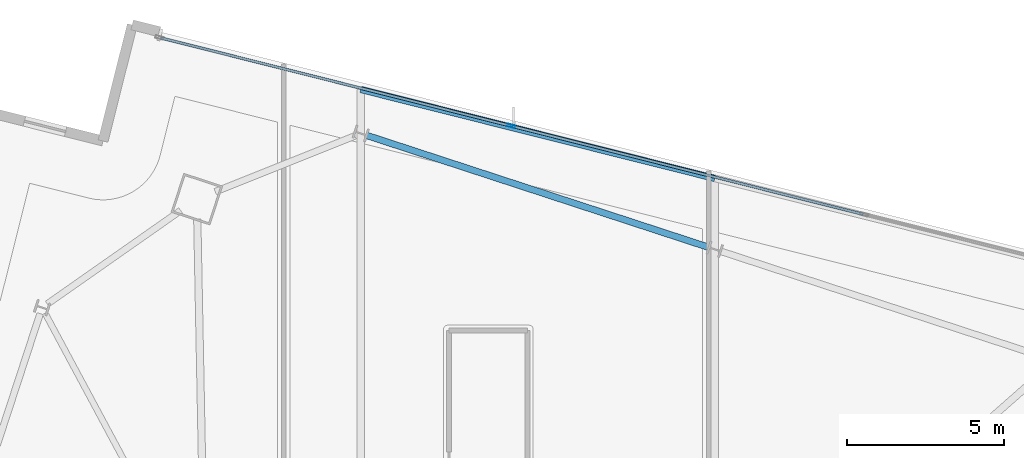
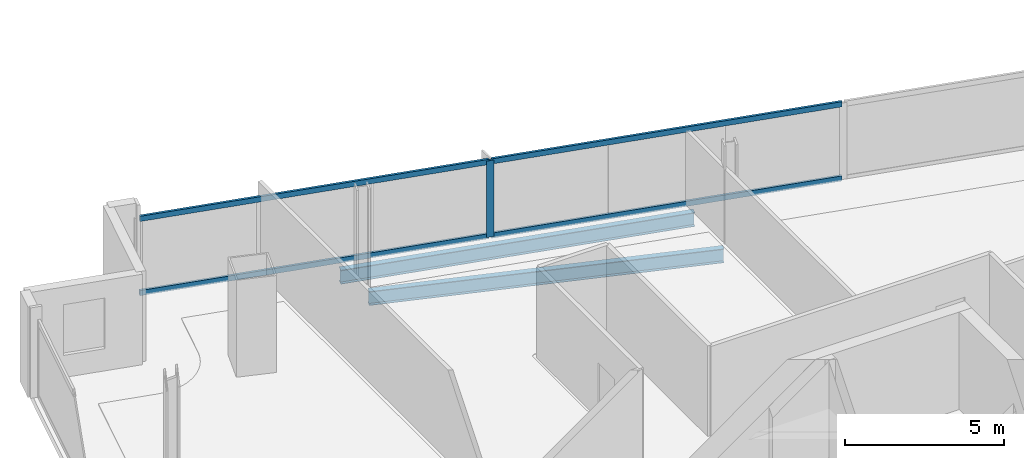
# One storey, part 14 of 28: 5 members, 2 beams, 1 element without a shape of its own.
"""IFC4 building model written with IfcOpenShell, lengths in metres."""

from ifc_helpers import new_model, si_unit, direction, frame, origin, origin_2d, place, context, subcontext, project, spatial, hollow_rectangle, i_section, extrude, material, material_profile, profile_set, type_object, element, aggregate, save


model = new_model("IFC4")

# Units and contexts
model_context = context("Model", 3, precision=1e-05, world=origin(), true_north=direction((0.0, 1.0)))
body_context = subcontext(model_context, "Body", "Model", "MODEL_VIEW")
ifc_project = project(units=[si_unit("LENGTHUNIT", "METRE"), si_unit("AREAUNIT", "SQUARE_METRE"), si_unit("VOLUMEUNIT", "CUBIC_METRE"), si_unit("PLANEANGLEUNIT", "RADIAN"), si_unit("MASSUNIT", "GRAM", prefix="KILO")], contexts=[model_context])

# Site, building, storey
site_placement = place(None, origin())
site = spatial("IfcSite", under=ifc_project, at=site_placement, CompositionType="ELEMENT")
building_placement = place(site_placement, origin())
building = spatial("IfcBuilding", under=site, at=building_placement, Name="Haldenkirk Collegiate Tower", CompositionType="ELEMENT")
storey_placement = place(building_placement, frame((0.0, 0.0, 282.449951171875)))
storey = spatial("IfcBuildingStorey", under=building, at=storey_placement, Name="L71", CompositionType="ELEMENT", Elevation=282.449951171875)

# Beams
ifc_material_1 = material(Name="Steel ASTM A992 Grade 50", Category="steel")
ifc_material_profile_1 = material_profile(ifc_material_1, i_section(OverallWidth=0.2099609375, OverallDepth=0.537109375, WebThickness=0.010986328125, FlangeThickness=0.017333984375, at=origin_2d()), Name="W21X68")
ifc_profile_set_1 = profile_set([ifc_material_profile_1], Name="Steel ASTM A992 Grade 50")
beam_type = type_object("IfcBeamType", Name="BM-SPANDREL-W21X68", PredefinedType="SPANDREL", material=ifc_profile_set_1)
beam_1_placement = place(storey_placement, frame((42.99755859375, 45.54296875, -0.538330078125), z_axis=(-0.950408846531, 0.311003254701, 0.0), x_axis=(-0.311003254701, -0.950408846531, 0.0)))
element("IfcBeam", 1, at=beam_1_placement, inside=storey, type_object=beam_type, Name="L71 perimeter spandrel beam 07", PredefinedType="SPANDREL", context=body_context, shape_type="SweptSolid", body=[
    extrude(i_section(OverallWidth=0.2099609375, OverallDepth=0.537109375, WebThickness=0.010986328125, FlangeThickness=0.017333984375, at=origin_2d()), origin(), (0.0, 0.0, 1.0), 11.421875),
])
beam_2_placement = place(storey_placement, frame((43.18994140625, 47.733154296875, -0.538330078125), z_axis=(-0.969870521393, 0.243620959143, 0.0), x_axis=(-0.243620959143, -0.969870521393, 0.0)))
element("IfcBeam", 2, at=beam_2_placement, inside=storey, type_object=beam_type, Name="L71 outer facade edge beam 2B", PredefinedType="SPANDREL", context=body_context, shape_type="SweptSolid", body=[
    extrude(i_section(OverallWidth=0.2099609375, OverallDepth=0.537109375, WebThickness=0.010986328125, FlangeThickness=0.017333984375, at=origin_2d()), origin(), (0.0, 0.0, 1.0), 11.589599609375),
])

# Curtain wall, members
ifc_material_2 = material(Name="Anodised architectural bronze aluminium", Category="aluminium")
curtain_wall_type = type_object("IfcCurtainWallType", Name="CW-SYS1B-CONVEX-HI", PredefinedType="USERDEFINED", material=ifc_material_2)
curtain_wall_placement = place(storey_placement, origin())
curtain_wall = element("IfcCurtainWall", 3, at=curtain_wall_placement, inside=storey, type_object=curtain_wall_type, Name="L71 Upper tower high-wind convex bronze unitised curtain wall", ObjectType="UNITISED CURTAIN WALL", PredefinedType="USERDEFINED")
ifc_material_profile_2 = material_profile(ifc_material_2, hollow_rectangle(XDim=0.0849609375, YDim=0.25, WallThickness=0.0048828125, at=origin_2d()), Name="CW-MUL-1B")
ifc_profile_set_2 = profile_set([ifc_material_profile_2], Name="Anodised architectural bronze aluminium")
member_type_1 = type_object("IfcMemberType", Name="CW-MUL-1B", PredefinedType="MULLION", material=ifc_profile_set_2)
member_1_placement = place(storey_placement, frame((36.730224609375, 49.39697265625, 0.0), z_axis=(0.0, 0.0, 1.0), x_axis=(0.243611692191, 0.969872849103, 0.0)))
member_1 = element("IfcMember", 4, at=member_1_placement, type_object=member_type_1, Name="CW-1B mullion 2", PredefinedType="MULLION", context=body_context, shape_type="SweptSolid", body=[
    extrude(hollow_rectangle(XDim=0.0849609375, YDim=0.25, WallThickness=0.0048828125, at=origin_2d()), origin(), (0.0, 0.0, 1.0), 2.93798828125),
])
ifc_material_profile_3 = material_profile(ifc_material_2, hollow_rectangle(XDim=0.0849609375, YDim=0.199951171875, WallThickness=0.0048828125, at=origin_2d()), Name="CW-TRN-1B")
ifc_profile_set_3 = profile_set([ifc_material_profile_3], Name="Anodised architectural bronze aluminium")
member_type_2 = type_object("IfcMemberType", Name="CW-TRN-1B", PredefinedType="USERDEFINED", material=ifc_profile_set_3)
member_2_placement = place(storey_placement, frame((25.6025390625, 52.19189453125, 0.04248046875), z_axis=(0.969873042791, -0.243610921076, 0.0), x_axis=(0.243610921076, 0.969873042791, 0.0)))
member_2 = element("IfcMember", 5, at=member_2_placement, type_object=member_type_2, Name="CW-1B transom 1.1", ObjectType="TRANSOM", PredefinedType="USERDEFINED", context=body_context, shape_type="SweptSolid", body=[
    extrude(hollow_rectangle(XDim=0.0849609375, YDim=0.199951171875, WallThickness=0.0048828125, at=origin_2d()), origin(), (0.0, 0.0, 1.0), 11.430908203125),
])
member_3_placement = place(storey_placement, frame((25.6025390625, 52.19189453125, 2.8955078125), z_axis=(0.969873042791, -0.243610921076, 0.0), x_axis=(0.243610921076, 0.969873042791, 0.0)))
member_3 = element("IfcMember", 6, at=member_3_placement, type_object=member_type_2, Name="CW-1B transom 1.2", ObjectType="TRANSOM", PredefinedType="USERDEFINED", context=body_context, shape_type="SweptSolid", body=[
    extrude(hollow_rectangle(XDim=0.0849609375, YDim=0.199951171875, WallThickness=0.0048828125, at=origin_2d()), origin(), (0.0, 0.0, 1.0), 11.430908203125),
])
member_4_placement = place(storey_placement, frame((36.771484375, 49.38671875, 0.04248046875), z_axis=(0.96986901009, -0.243626975657, 0.0), x_axis=(0.243626975657, 0.96986901009, 0.0)))
member_4 = element("IfcMember", 7, at=member_4_placement, type_object=member_type_2, Name="CW-1B transom 2.1", ObjectType="TRANSOM", PredefinedType="USERDEFINED", context=body_context, shape_type="SweptSolid", body=[
    extrude(hollow_rectangle(XDim=0.0849609375, YDim=0.199951171875, WallThickness=0.0048828125, at=origin_2d()), origin(), (0.0, 0.0, 1.0), 11.47314453125),
])
member_5_placement = place(storey_placement, frame((36.771484375, 49.38671875, 2.8955078125), z_axis=(0.96986901009, -0.243626975657, 0.0), x_axis=(0.243626975657, 0.96986901009, 0.0)))
member_5 = element("IfcMember", 8, at=member_5_placement, type_object=member_type_2, Name="CW-1B transom 2.2", ObjectType="TRANSOM", PredefinedType="USERDEFINED", context=body_context, shape_type="SweptSolid", body=[
    extrude(hollow_rectangle(XDim=0.0849609375, YDim=0.199951171875, WallThickness=0.0048828125, at=origin_2d()), origin(), (0.0, 0.0, 1.0), 11.47314453125),
])
aggregate(curtain_wall, [member_1, member_2, member_3, member_4, member_5])

save(model, "model.ifc")
